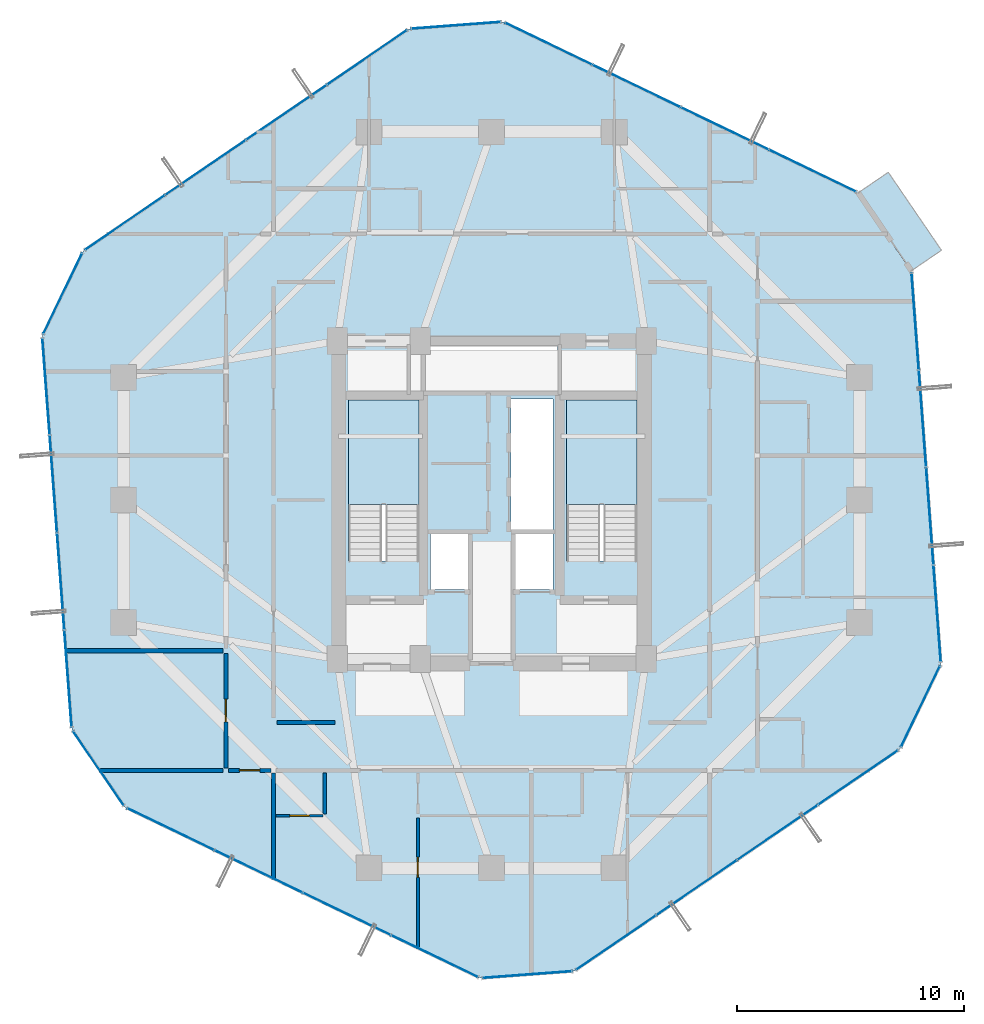
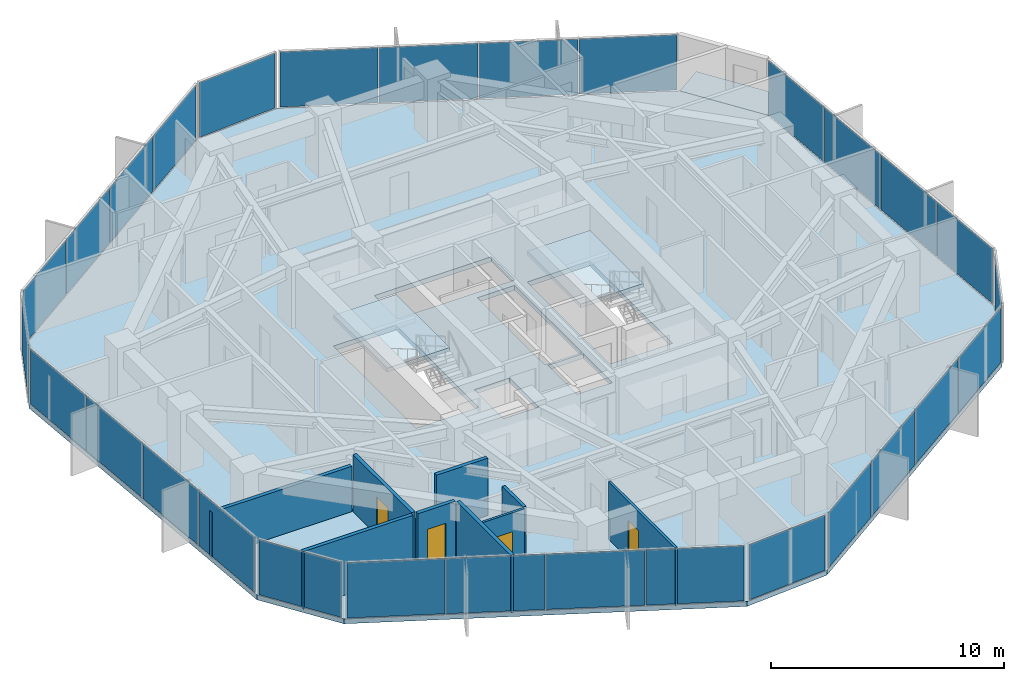
# One storey, part 29 of 35: 29 plates, 9 walls, 4 doors, 4 slabs, 4 openings, 13 elements without a shape of their own.
"""IFC4 building model written with IfcOpenShell, lengths in metres."""

from ifc_helpers import new_model, si_unit, direction, frame, frame_2d, origin, origin_2d, place, context, subcontext, project, spatial, polyline, rectangle, outline, extrude, source, transform, mapped, material, layer, layer_set, type_object, element, fill, aggregate, save


model = new_model("IFC4")

# Units and contexts
model_context = context("Model", 3, precision=1e-05, world=origin(), true_north=direction((0.0, 1.0)))
body_context = subcontext(model_context, "Body", "Model", "MODEL_VIEW")
ifc_project = project(units=[si_unit("LENGTHUNIT", "METRE"), si_unit("AREAUNIT", "SQUARE_METRE"), si_unit("VOLUMEUNIT", "CUBIC_METRE"), si_unit("PLANEANGLEUNIT", "RADIAN"), si_unit("MASSUNIT", "GRAM", prefix="KILO")], contexts=[model_context])

# Site, building, storey
site_placement = place(None, origin())
site = spatial("IfcSite", under=ifc_project, at=site_placement, CompositionType="ELEMENT")
building_placement = place(site_placement, origin())
building = spatial("IfcBuilding", under=site, at=building_placement, Name="Veraguas Prism Commons", CompositionType="ELEMENT")
storey_placement = place(building_placement, frame((0.0, 0.0, 142.5)))
storey = spatial("IfcBuildingStorey", under=building, at=storey_placement, Name="L40", CompositionType="ELEMENT", Elevation=142.5)

# Stair, slab
ifc_material_1 = material(Name="Precast concrete C45/55", Category="concrete")
stair_type = type_object("IfcStairType", Name="Dogleg Core Stair 1480W 20R 05", PredefinedType="HALF_TURN_STAIR", material=ifc_material_1)
stair_1_placement = place(storey_placement, origin())
stair_1 = element("IfcStair", 1, at=stair_1_placement, inside=storey, type_object=stair_type, Name="Protected Exit Stair ST-01 L40", PredefinedType="HALF_TURN_STAIR")
ifc_layer_1 = layer(ifc_material_1, 0.199951171875, Name="Precast Stair and Ramp Landing Slab 200", Category="concrete")
ifc_layer_set_1 = layer_set([ifc_layer_1], Name="Precast concrete C45/55")
slab_type_1 = type_object("IfcSlabType", Name="Precast Stair and Ramp Landing Slab 200", PredefinedType="LANDING", material=ifc_layer_set_1)
slab_1_placement = place(storey_placement, frame((0.0, 0.0, 1.425048828125)))
slab_1 = element("IfcSlab", 2, at=slab_1_placement, type_object=slab_type_1, Name="ST-05 Landing 1", PredefinedType="LANDING", context=body_context, shape_type="SweptSolid", body=[
    extrude(outline(polyline([(20.800048828125, 23.800048828125), (20.800048828125, 28.39990234375), (17.68994140625, 28.39990234375), (17.68994140625, 23.800048828125), (20.800048828125, 23.800048828125)])), origin(), (0.0, 0.0, 1.0), 0.199951171875),
])
aggregate(stair_1, [slab_1])

stair_2_placement = place(storey_placement, origin())
stair_2 = element("IfcStair", 3, at=stair_2_placement, inside=storey, type_object=stair_type, Name="Protected Exit Stair ST-02 L40", PredefinedType="HALF_TURN_STAIR")
slab_2_placement = place(storey_placement, frame((0.0, 0.0, 1.425048828125)))
slab_2 = element("IfcSlab", 4, at=slab_2_placement, type_object=slab_type_1, Name="ST-05 Landing 1", PredefinedType="LANDING", context=body_context, shape_type="SweptSolid", body=[
    extrude(outline(polyline([(30.39990234375, 23.800048828125), (30.39990234375, 28.39990234375), (27.2900390625, 28.39990234375), (27.2900390625, 23.800048828125), (30.39990234375, 23.800048828125)])), origin(), (0.0, 0.0, 1.0), 0.199951171875),
])
aggregate(stair_2, [slab_2])

# Slabs
ifc_material_2 = material(Name="Concrete C45/55", Category="concrete")
ifc_layer_2 = layer(ifc_material_2, 0.219970703125, Name="Recessed Loggia and Terrace Slab RC 220", Category="concrete")
ifc_layer_set_2 = layer_set([ifc_layer_2], Name="Concrete C45/55")
slab_type_2 = type_object("IfcSlabType", Name="Recessed Loggia and Terrace Slab RC 220", PredefinedType="FLOOR", material=ifc_layer_set_2)
slab_3_placement = place(storey_placement, frame((0.0, 0.0, -0.219970703125)))
element("IfcSlab", 5, at=slab_3_placement, inside=storey, type_object=slab_type_2, Name="Recessed Corner Loggia L40-C1", PredefinedType="FLOOR", context=body_context, shape_type="SweptSolid", body=[
    extrude(outline(polyline([(42.46142578125, 34.07958984375), (43.7998046875, 34.99267578125), (41.459228515625, 38.423583984375), (40.12109375, 37.510498046875), (42.46142578125, 34.07958984375)])), origin(), (0.0, 0.0, 1.0), 0.219970703125),
])
ifc_layer_3 = layer(ifc_material_2, 0.25, Name="Tower Lower Residential Floor Slab RC 250", Category="concrete")
ifc_layer_set_3 = layer_set([ifc_layer_3], Name="Concrete C45/55")
slab_type_3 = type_object("IfcSlabType", Name="Tower Lower Residential Floor Slab RC 250", PredefinedType="FLOOR", material=ifc_layer_set_3)
slab_4_placement = place(storey_placement, frame((0.0, 0.0, -0.25)))
element("IfcSlab", 6, at=slab_4_placement, inside=storey, type_object=slab_type_3, Name="Tower Floor Slab L40", PredefinedType="FLOOR", context=body_context, shape_type="SweptSolid", body=[
    extrude(outline(polyline([(42.477783203125, 34.091064453125), (40.137451171875, 37.52197265625), (24.499755859375, 45.0478515625), (20.3583984375, 44.736328125), (6.02197265625, 34.956787109375), (4.220947265625, 31.214599609375), (5.522216796875, 13.908935546875), (7.862548828125, 10.47802734375), (23.500244140625, 2.9521484375), (27.6416015625, 3.263671875), (41.97802734375, 13.043212890625), (43.779052734375, 16.785400390625), (42.477783203125, 34.091064453125)]), holes=[polyline([(20.800048828125, 21.31005859375), (20.800048828125, 28.39990234375), (17.68994140625, 28.39990234375), (17.68994140625, 21.31005859375), (20.800048828125, 21.31005859375)]), polyline([(30.39990234375, 21.31005859375), (30.39990234375, 28.39990234375), (27.2900390625, 28.39990234375), (27.2900390625, 21.31005859375), (30.39990234375, 21.31005859375)]), polyline([(24.85009765625, 22.64990234375), (26.699951171875, 22.64990234375), (26.699951171875, 28.449951171875), (24.85009765625, 28.449951171875), (24.85009765625, 22.64990234375)]), polyline([(21.10009765625, 28.800048828125), (26.89990234375, 28.800048828125), (26.89990234375, 30.800048828125), (21.10009765625, 30.800048828125), (21.10009765625, 28.800048828125)]), polyline([(21.300048828125, 20.050048828125), (23.050048828125, 20.050048828125), (23.050048828125, 22.550048828125), (21.300048828125, 22.550048828125), (21.300048828125, 20.050048828125)]), polyline([(24.949951171875, 20.050048828125), (26.699951171875, 20.050048828125), (26.699951171875, 22.550048828125), (24.949951171875, 22.550048828125), (24.949951171875, 20.050048828125)])]), origin(), (0.0, 0.0, 1.0), 0.25),
])

# Curtain wall, plates
ifc_material_3 = material(Name="Anodised aluminium EN AW-6063 T6", Category="aluminium")
ifc_layer_4 = layer(ifc_material_3, 0.169921875, Name="Unitised Flush Curtain Wall Zone 2", Category="aluminium")
ifc_layer_set_4 = layer_set([ifc_layer_4], Name="Anodised aluminium EN AW-6063 T6")
curtain_wall_type = type_object("IfcCurtainWallType", Name="Unitised Flush Curtain Wall Zone 2", PredefinedType="NOTDEFINED", material=ifc_layer_set_4)
curtain_wall_1_placement = place(storey_placement, origin())
curtain_wall_1 = element("IfcCurtainWall", 7, at=curtain_wall_1_placement, inside=storey, type_object=curtain_wall_type, Name="Tower Facade Curtain Wall L40-F1", PredefinedType="NOTDEFINED")
ifc_material_4 = material(Name="Laminated low-e glass", Category="glass")
ifc_layer_5 = layer(ifc_material_4, 0.028076171875, Name="Unitised Double Low-E Glazed Panel 28", Category="glass")
ifc_layer_set_5 = layer_set([ifc_layer_5], Name="Laminated low-e glass")
plate_type = type_object("IfcPlateType", Name="Unitised Double Low-E Glazed Panel 28", PredefinedType="CURTAIN_PANEL", material=ifc_layer_set_5)
shared_shape_1 = source(origin(), body_context, "Body", "SweptSolid", [
    extrude(rectangle(XDim=4.218505859375, YDim=0.028076171875, at=origin_2d()), origin(), (0.0, 0.0, 1.0), 2.889892578125),
])
plate_1_placement = place(storey_placement, frame((38.128662109375, 38.488525390625, 0.05517578125), z_axis=(0.0, 0.0, 1.0), x_axis=(-0.901075507561, 0.433662229937, 0.0)))
plate_1 = element("IfcPlate", 8, at=plate_1_placement, type_object=plate_type, Name="CW-Z2 Panel 1.1", PredefinedType="CURTAIN_PANEL", context=body_context, shape_type="MappedRepresentation", body=[
    mapped(shared_shape_1, transform((0.0, 0.0, 0.0), scale=1.0)),
])
plate_2_placement = place(storey_placement, frame((26.508544921875, 44.0810546875, 0.05517578125), z_axis=(0.0, 0.0, 1.0), x_axis=(-0.901075507561, 0.433662229937, 0.0)))
plate_2 = element("IfcPlate", 9, at=plate_2_placement, type_object=plate_type, Name="CW-Z2 Panel 4.1", PredefinedType="CURTAIN_PANEL", context=body_context, shape_type="MappedRepresentation", body=[
    mapped(shared_shape_1, transform((0.0, 0.0, 0.0), scale=1.0)),
])

curtain_wall_2_placement = place(storey_placement, origin())
curtain_wall_2 = element("IfcCurtainWall", 10, at=curtain_wall_2_placement, inside=storey, type_object=curtain_wall_type, Name="Tower Facade Curtain Wall L40-F2", PredefinedType="NOTDEFINED")
plate_3_placement = place(storey_placement, frame((18.516845703125, 43.480224609375, 0.05517578125), z_axis=(0.0, 0.0, 1.0), x_axis=(-0.826097310956, -0.56352749075, 0.0)))
plate_3 = element("IfcPlate", 11, at=plate_3_placement, type_object=plate_type, Name="CW-Z2 Panel 1.1", PredefinedType="CURTAIN_PANEL", context=body_context, shape_type="MappedRepresentation", body=[
    mapped(shared_shape_1, transform((0.0, 0.0, 0.0), scale=1.0)),
])
plate_4_placement = place(storey_placement, frame((7.863525390625, 36.213134765625, 0.05517578125), z_axis=(0.0, 0.0, 1.0), x_axis=(-0.826097310956, -0.56352749075, 0.0)))
plate_4 = element("IfcPlate", 12, at=plate_4_placement, type_object=plate_type, Name="CW-Z2 Panel 4.1", PredefinedType="CURTAIN_PANEL", context=body_context, shape_type="MappedRepresentation", body=[
    mapped(shared_shape_1, transform((0.0, 0.0, 0.0), scale=1.0)),
])

curtain_wall_3_placement = place(storey_placement, origin())
curtain_wall_3 = element("IfcCurtainWall", 13, at=curtain_wall_3_placement, inside=storey, type_object=curtain_wall_type, Name="Tower Facade Curtain Wall L40-F3", PredefinedType="NOTDEFINED")
plate_5_placement = place(storey_placement, frame((4.387939453125, 28.991455078125, 0.05517578125), z_axis=(0.0, 0.0, 1.0), x_axis=(0.074978726826, -0.997185133525, 0.0)))
plate_5 = element("IfcPlate", 14, at=plate_5_placement, type_object=plate_type, Name="CW-Z2 Panel 1.1", PredefinedType="CURTAIN_PANEL", context=body_context, shape_type="MappedRepresentation", body=[
    mapped(shared_shape_1, transform((0.0, 0.0, 0.0), scale=1.0)),
])
plate_6_placement = place(storey_placement, frame((5.35498046875, 16.132080078125, 0.05517578125), z_axis=(0.0, 0.0, 1.0), x_axis=(0.074978726826, -0.997185133525, 0.0)))
plate_6 = element("IfcPlate", 15, at=plate_6_placement, type_object=plate_type, Name="CW-Z2 Panel 4.1", PredefinedType="CURTAIN_PANEL", context=body_context, shape_type="MappedRepresentation", body=[
    mapped(shared_shape_1, transform((0.0, 0.0, 0.0), scale=1.0)),
])

curtain_wall_4_placement = place(storey_placement, origin())
curtain_wall_4 = element("IfcCurtainWall", 16, at=curtain_wall_4_placement, inside=storey, type_object=curtain_wall_type, Name="Tower Facade Curtain Wall L40-F4", PredefinedType="NOTDEFINED")
plate_7_placement = place(storey_placement, frame((9.871337890625, 9.511474609375, 0.05517578125), z_axis=(0.0, 0.0, 1.0), x_axis=(0.901075507561, -0.433662229937, 0.0)))
plate_7 = element("IfcPlate", 17, at=plate_7_placement, type_object=plate_type, Name="CW-Z2 Panel 1.1", PredefinedType="CURTAIN_PANEL", context=body_context, shape_type="MappedRepresentation", body=[
    mapped(shared_shape_1, transform((0.0, 0.0, 0.0), scale=1.0)),
])
plate_8_placement = place(storey_placement, frame((21.491455078125, 3.9189453125, 0.05517578125), z_axis=(0.0, 0.0, 1.0), x_axis=(0.901075507561, -0.433662229937, 0.0)))
plate_8 = element("IfcPlate", 18, at=plate_8_placement, type_object=plate_type, Name="CW-Z2 Panel 4.1", PredefinedType="CURTAIN_PANEL", context=body_context, shape_type="MappedRepresentation", body=[
    mapped(shared_shape_1, transform((0.0, 0.0, 0.0), scale=1.0)),
])

curtain_wall_5_placement = place(storey_placement, origin())
curtain_wall_5 = element("IfcCurtainWall", 19, at=curtain_wall_5_placement, inside=storey, type_object=curtain_wall_type, Name="Tower Facade Curtain Wall L40-F5", PredefinedType="NOTDEFINED")
plate_9_placement = place(storey_placement, frame((29.483154296875, 4.519775390625, 0.05517578125), z_axis=(0.0, 0.0, 1.0), x_axis=(0.826097310956, 0.56352749075, 0.0)))
plate_9 = element("IfcPlate", 20, at=plate_9_placement, type_object=plate_type, Name="CW-Z2 Panel 1.1", PredefinedType="CURTAIN_PANEL", context=body_context, shape_type="MappedRepresentation", body=[
    mapped(shared_shape_1, transform((0.0, 0.0, 0.0), scale=1.0)),
])
plate_10_placement = place(storey_placement, frame((40.136474609375, 11.786865234375, 0.05517578125), z_axis=(0.0, 0.0, 1.0), x_axis=(0.826097310956, 0.56352749075, 0.0)))
plate_10 = element("IfcPlate", 21, at=plate_10_placement, type_object=plate_type, Name="CW-Z2 Panel 4.1", PredefinedType="CURTAIN_PANEL", context=body_context, shape_type="MappedRepresentation", body=[
    mapped(shared_shape_1, transform((0.0, 0.0, 0.0), scale=1.0)),
])

curtain_wall_6_placement = place(storey_placement, origin())
curtain_wall_6 = element("IfcCurtainWall", 22, at=curtain_wall_6_placement, inside=storey, type_object=curtain_wall_type, Name="Tower Facade Curtain Wall L40-F6", PredefinedType="NOTDEFINED")
plate_11_placement = place(storey_placement, frame((43.612060546875, 19.008544921875, 0.05517578125), z_axis=(0.0, 0.0, 1.0), x_axis=(-0.074978726826, 0.997185133525, 0.0)))
plate_11 = element("IfcPlate", 23, at=plate_11_placement, type_object=plate_type, Name="CW-Z2 Panel 1.1", PredefinedType="CURTAIN_PANEL", context=body_context, shape_type="MappedRepresentation", body=[
    mapped(shared_shape_1, transform((0.0, 0.0, 0.0), scale=1.0)),
])
plate_12_placement = place(storey_placement, frame((42.64501953125, 31.867919921875, 0.05517578125), z_axis=(0.0, 0.0, 1.0), x_axis=(-0.074978726826, 0.997185133525, 0.0)))
plate_12 = element("IfcPlate", 24, at=plate_12_placement, type_object=plate_type, Name="CW-Z2 Panel 4.1", PredefinedType="CURTAIN_PANEL", context=body_context, shape_type="MappedRepresentation", body=[
    mapped(shared_shape_1, transform((0.0, 0.0, 0.0), scale=1.0)),
])

# Plate
shared_shape_2 = source(origin(), body_context, "Body", "SweptSolid", [
    extrude(rectangle(XDim=4.24853515625, YDim=0.028076171875, at=origin_2d()), origin(), (0.0, 0.0, 1.0), 2.889892578125),
])
plate_13_placement = place(storey_placement, frame((34.259765625, 40.3505859375, 0.05517578125), z_axis=(0.0, 0.0, 1.0), x_axis=(-0.901075507561, 0.433662229937, 0.0)))
plate_13 = element("IfcPlate", 25, at=plate_13_placement, type_object=plate_type, Name="CW-Z2 Panel 2.1", PredefinedType="CURTAIN_PANEL", context=body_context, shape_type="MappedRepresentation", body=[
    mapped(shared_shape_2, transform((0.0, 0.0, 0.0), scale=1.0)),
])

plate_14_placement = place(storey_placement, frame((30.37744140625, 42.218994140625, 0.05517578125), z_axis=(0.0, 0.0, 1.0), x_axis=(-0.901075507561, 0.433662229937, 0.0)))
plate_14 = element("IfcPlate", 26, at=plate_14_placement, type_object=plate_type, Name="CW-Z2 Panel 3.1", PredefinedType="CURTAIN_PANEL", context=body_context, shape_type="MappedRepresentation", body=[
    mapped(shared_shape_2, transform((0.0, 0.0, 0.0), scale=1.0)),
])

aggregate(curtain_wall_1, [plate_1, plate_13, plate_14, plate_2])

plate_15_placement = place(storey_placement, frame((14.969970703125, 41.060546875, 0.05517578125), z_axis=(0.0, 0.0, 1.0), x_axis=(-0.826097310956, -0.56352749075, 0.0)))
plate_15 = element("IfcPlate", 27, at=plate_15_placement, type_object=plate_type, Name="CW-Z2 Panel 2.1", PredefinedType="CURTAIN_PANEL", context=body_context, shape_type="MappedRepresentation", body=[
    mapped(shared_shape_2, transform((0.0, 0.0, 0.0), scale=1.0)),
])

plate_16_placement = place(storey_placement, frame((11.41064453125, 38.632568359375, 0.05517578125), z_axis=(0.0, 0.0, 1.0), x_axis=(-0.826097310956, -0.56352749075, 0.0)))
plate_16 = element("IfcPlate", 28, at=plate_16_placement, type_object=plate_type, Name="CW-Z2 Panel 3.1", PredefinedType="CURTAIN_PANEL", context=body_context, shape_type="MappedRepresentation", body=[
    mapped(shared_shape_2, transform((0.0, 0.0, 0.0), scale=1.0)),
])

aggregate(curtain_wall_2, [plate_3, plate_15, plate_16, plate_4])

plate_17_placement = place(storey_placement, frame((4.7099609375, 24.7099609375, 0.05517578125), z_axis=(0.0, 0.0, 1.0), x_axis=(0.074978726826, -0.997185133525, 0.0)))
plate_17 = element("IfcPlate", 29, at=plate_17_placement, type_object=plate_type, Name="CW-Z2 Panel 2.1", PredefinedType="CURTAIN_PANEL", context=body_context, shape_type="MappedRepresentation", body=[
    mapped(shared_shape_2, transform((0.0, 0.0, 0.0), scale=1.0)),
])

plate_18_placement = place(storey_placement, frame((5.032958984375, 20.41357421875, 0.05517578125), z_axis=(0.0, 0.0, 1.0), x_axis=(0.074978726826, -0.997185133525, 0.0)))
plate_18 = element("IfcPlate", 30, at=plate_18_placement, type_object=plate_type, Name="CW-Z2 Panel 3.1", PredefinedType="CURTAIN_PANEL", context=body_context, shape_type="MappedRepresentation", body=[
    mapped(shared_shape_2, transform((0.0, 0.0, 0.0), scale=1.0)),
])

aggregate(curtain_wall_3, [plate_5, plate_17, plate_18, plate_6])

plate_19_placement = place(storey_placement, frame((13.740234375, 7.6494140625, 0.05517578125), z_axis=(0.0, 0.0, 1.0), x_axis=(0.901075507561, -0.433662229937, 0.0)))
plate_19 = element("IfcPlate", 31, at=plate_19_placement, type_object=plate_type, Name="CW-Z2 Panel 2.1", PredefinedType="CURTAIN_PANEL", context=body_context, shape_type="MappedRepresentation", body=[
    mapped(shared_shape_2, transform((0.0, 0.0, 0.0), scale=1.0)),
])

plate_20_placement = place(storey_placement, frame((17.62255859375, 5.781005859375, 0.05517578125), z_axis=(0.0, 0.0, 1.0), x_axis=(0.901075507561, -0.433662229937, 0.0)))
plate_20 = element("IfcPlate", 32, at=plate_20_placement, type_object=plate_type, Name="CW-Z2 Panel 3.1", PredefinedType="CURTAIN_PANEL", context=body_context, shape_type="MappedRepresentation", body=[
    mapped(shared_shape_2, transform((0.0, 0.0, 0.0), scale=1.0)),
])

aggregate(curtain_wall_4, [plate_7, plate_19, plate_20, plate_8])

plate_21_placement = place(storey_placement, frame((33.030029296875, 6.939453125, 0.05517578125), z_axis=(0.0, 0.0, 1.0), x_axis=(0.826097310956, 0.56352749075, 0.0)))
plate_21 = element("IfcPlate", 33, at=plate_21_placement, type_object=plate_type, Name="CW-Z2 Panel 2.1", PredefinedType="CURTAIN_PANEL", context=body_context, shape_type="MappedRepresentation", body=[
    mapped(shared_shape_2, transform((0.0, 0.0, 0.0), scale=1.0)),
])

plate_22_placement = place(storey_placement, frame((36.58935546875, 9.367431640625, 0.05517578125), z_axis=(0.0, 0.0, 1.0), x_axis=(0.826097310956, 0.56352749075, 0.0)))
plate_22 = element("IfcPlate", 34, at=plate_22_placement, type_object=plate_type, Name="CW-Z2 Panel 3.1", PredefinedType="CURTAIN_PANEL", context=body_context, shape_type="MappedRepresentation", body=[
    mapped(shared_shape_2, transform((0.0, 0.0, 0.0), scale=1.0)),
])

aggregate(curtain_wall_5, [plate_9, plate_21, plate_22, plate_10])

plate_23_placement = place(storey_placement, frame((43.2900390625, 23.2900390625, 0.05517578125), z_axis=(0.0, 0.0, 1.0), x_axis=(-0.074978726826, 0.997185133525, 0.0)))
plate_23 = element("IfcPlate", 35, at=plate_23_placement, type_object=plate_type, Name="CW-Z2 Panel 2.1", PredefinedType="CURTAIN_PANEL", context=body_context, shape_type="MappedRepresentation", body=[
    mapped(shared_shape_2, transform((0.0, 0.0, 0.0), scale=1.0)),
])

plate_24_placement = place(storey_placement, frame((42.967041015625, 27.58642578125, 0.05517578125), z_axis=(0.0, 0.0, 1.0), x_axis=(-0.074978726826, 0.997185133525, 0.0)))
plate_24 = element("IfcPlate", 36, at=plate_24_placement, type_object=plate_type, Name="CW-Z2 Panel 3.1", PredefinedType="CURTAIN_PANEL", context=body_context, shape_type="MappedRepresentation", body=[
    mapped(shared_shape_2, transform((0.0, 0.0, 0.0), scale=1.0)),
])

aggregate(curtain_wall_6, [plate_11, plate_23, plate_24, plate_12])

# Curtain wall, plate
curtain_wall_7_placement = place(storey_placement, origin())
curtain_wall_7 = element("IfcCurtainWall", 37, at=curtain_wall_7_placement, inside=storey, type_object=curtain_wall_type, Name="Chamfer Curtain Wall L40-C2", PredefinedType="NOTDEFINED")
shared_shape_3 = source(origin(), body_context, "Body", "SweptSolid", [
    extrude(rectangle(XDim=3.9130859375, YDim=0.028076171875, at=origin_2d()), origin(), (0.0, 0.0, 1.0), 2.889892578125),
])
plate_25_placement = place(storey_placement, frame((22.42919921875, 44.89208984375, 0.05517578125), z_axis=(0.0, 0.0, 1.0), x_axis=(-0.997185133525, -0.074978726826, 0.0)))
plate_25 = element("IfcPlate", 38, at=plate_25_placement, type_object=plate_type, Name="CW-Z2 Panel 1.1", PredefinedType="CURTAIN_PANEL", context=body_context, shape_type="MappedRepresentation", body=[
    mapped(shared_shape_3, transform((0.0, 0.0, 0.0), scale=1.0)),
])
aggregate(curtain_wall_7, [plate_25])

curtain_wall_8_placement = place(storey_placement, origin())
curtain_wall_8 = element("IfcCurtainWall", 39, at=curtain_wall_8_placement, inside=storey, type_object=curtain_wall_type, Name="Chamfer Curtain Wall L40-C3", PredefinedType="NOTDEFINED")
plate_26_placement = place(storey_placement, frame((5.121337890625, 33.085693359375, 0.05517578125), z_axis=(0.0, 0.0, 1.0), x_axis=(-0.433684247236, -0.901064910925, 0.0)))
plate_26 = element("IfcPlate", 40, at=plate_26_placement, type_object=plate_type, Name="CW-Z2 Panel 1.1", PredefinedType="CURTAIN_PANEL", context=body_context, shape_type="MappedRepresentation", body=[
    mapped(shared_shape_3, transform((0.0, 0.0, 0.0), scale=1.0)),
])
aggregate(curtain_wall_8, [plate_26])

curtain_wall_9_placement = place(storey_placement, origin())
curtain_wall_9 = element("IfcCurtainWall", 41, at=curtain_wall_9_placement, inside=storey, type_object=curtain_wall_type, Name="Chamfer Curtain Wall L40-C4", PredefinedType="NOTDEFINED")
plate_27_placement = place(storey_placement, frame((6.6923828125, 12.193603515625, 0.05517578125), z_axis=(0.0, 0.0, 1.0), x_axis=(0.563537583391, -0.826090426107, 0.0)))
plate_27 = element("IfcPlate", 42, at=plate_27_placement, type_object=plate_type, Name="CW-Z2 Panel 1.1", PredefinedType="CURTAIN_PANEL", context=body_context, shape_type="MappedRepresentation", body=[
    mapped(shared_shape_3, transform((0.0, 0.0, 0.0), scale=1.0)),
])
aggregate(curtain_wall_9, [plate_27])

curtain_wall_10_placement = place(storey_placement, origin())
curtain_wall_10 = element("IfcCurtainWall", 43, at=curtain_wall_10_placement, inside=storey, type_object=curtain_wall_type, Name="Chamfer Curtain Wall L40-C5", PredefinedType="NOTDEFINED")
plate_28_placement = place(storey_placement, frame((25.57080078125, 3.10791015625, 0.05517578125), z_axis=(0.0, 0.0, 1.0), x_axis=(0.997185133525, 0.074978726826, 0.0)))
plate_28 = element("IfcPlate", 44, at=plate_28_placement, type_object=plate_type, Name="CW-Z2 Panel 1.1", PredefinedType="CURTAIN_PANEL", context=body_context, shape_type="MappedRepresentation", body=[
    mapped(shared_shape_3, transform((0.0, 0.0, 0.0), scale=1.0)),
])
aggregate(curtain_wall_10, [plate_28])

curtain_wall_11_placement = place(storey_placement, origin())
curtain_wall_11 = element("IfcCurtainWall", 45, at=curtain_wall_11_placement, inside=storey, type_object=curtain_wall_type, Name="Chamfer Curtain Wall L40-C6", PredefinedType="NOTDEFINED")
plate_29_placement = place(storey_placement, frame((42.878662109375, 14.914306640625, 0.05517578125), z_axis=(0.0, 0.0, 1.0), x_axis=(0.433684247236, 0.901064910925, 0.0)))
plate_29 = element("IfcPlate", 46, at=plate_29_placement, type_object=plate_type, Name="CW-Z2 Panel 1.1", PredefinedType="CURTAIN_PANEL", context=body_context, shape_type="MappedRepresentation", body=[
    mapped(shared_shape_3, transform((0.0, 0.0, 0.0), scale=1.0)),
])
aggregate(curtain_wall_11, [plate_29])

# Walls
ifc_material_5 = material(Name="Autoclaved aerated masonry block 10 MPa", Category="masonry")
ifc_layer_6 = layer(ifc_material_5, 0.179931640625, Name="Corridor and Inter-Tenancy Partition 180", Category="masonry")
ifc_layer_set_6 = layer_set([ifc_layer_6], Name="Autoclaved aerated masonry block 10 MPa")
wall_type_1 = type_object("IfcWallType", Name="Corridor and Inter-Tenancy Partition 180", PredefinedType="PARTITIONING", material=ifc_layer_set_6)
wall_1_placement = place(storey_placement, frame((14.550048828125, 14.199951171875, 0.0), z_axis=(0.0, 0.0, 1.0), x_axis=(1.0, 0.0, 0.0)))
element("IfcWall", 47, at=wall_1_placement, inside=storey, type_object=wall_type_1, Name="WL-L40-IRWS", PredefinedType="PARTITIONING", context=body_context, shape_type="SweptSolid", body=[
    extrude(rectangle(XDim=2.550048828125, YDim=0.179931640625, at=frame_2d((1.27490234375, 0.0))), origin(), (0.0, 0.0, 1.0), 3.0),
])
wall_2_placement = place(storey_placement, frame((14.39990234375, 11.97998046875, 0.0), z_axis=(0.0, 0.0, 1.0), x_axis=(0.0, -1.0, 0.0)))
element("IfcWall", 48, at=wall_2_placement, inside=storey, type_object=wall_type_1, Name="WL-L40-PT001", PredefinedType="PARTITIONING", context=body_context, shape_type="SweptSolid", body=[
    extrude(rectangle(XDim=4.681396484375, YDim=0.179931640625, at=frame_2d((2.3408203125, 0.0))), origin(), (0.0, 0.0, 1.0), 3.0),
])
wall_3_placement = place(storey_placement, frame((12.179931640625, 12.10009765625, 0.0), z_axis=(0.0, 0.0, 1.0), x_axis=(-1.0, 0.0, 0.0)))
element("IfcWall", 49, at=wall_3_placement, inside=storey, type_object=wall_type_1, Name="WL-L40-PT028", PredefinedType="PARTITIONING", context=body_context, shape_type="SweptSolid", body=[
    extrude(rectangle(XDim=5.460205078125, YDim=0.179931640625, at=frame_2d((2.72998046875, 0.0))), origin(), (0.0, 0.0, 1.0), 3.0),
])

# Wall, opening, door
wall_4_placement = place(storey_placement, frame((12.300048828125, 12.2099609375, 0.0), z_axis=(0.0, 0.0, 1.0), x_axis=(0.0, 1.0, 0.0)))
wall_4 = element("IfcWall", 50, at=wall_4_placement, inside=storey, type_object=wall_type_1, Name="WL-L40-PT030", PredefinedType="PARTITIONING", context=body_context, shape_type="SweptSolid", body=[
    extrude(rectangle(XDim=5.0439453125, YDim=0.179931640625, at=frame_2d((2.52197265625, 0.0))), origin(), (0.0, 0.0, 1.0), 3.0),
])
opening_1_placement = place(wall_4_placement, frame((2.02197265625, 0.0, 0.0)))
opening_1 = element("IfcOpeningElement", 51, at=opening_1_placement, cuts=wall_4, Name="Opening DR-13", PredefinedType="OPENING", context=body_context, shape_type="SweptSolid", body=[
    extrude(rectangle(XDim=1.0, YDim=2.010009765625, at=frame_2d((0.5, 1.0048828125))), frame((0.0, 0.099853515625, 0.0), z_axis=(0.0, -1.0, 0.0), x_axis=(1.0, 0.0, 0.0)), (0.0, 0.0, 1.0), 0.199951171875),
])
ifc_material_6 = material(Name="Steel fire-rated door assembly", Category="steel")
door_type_1 = type_object("IfcDoorType", Name="Core Accessible WC and Clinic Fire Door 1000x2010", OperationType="NOTDEFINED", PredefinedType="DOOR", material=ifc_material_6)
shared_shape_4 = source(origin(), body_context, "Body", "SweptSolid", [
    extrude(rectangle(XDim=1.0, YDim=2.010009765625, at=frame_2d((0.5, 1.0048828125))), frame((0.0, 0.02490234375, 0.0), z_axis=(0.0, -1.0, 0.0), x_axis=(1.0, 0.0, 0.0)), (0.0, 0.0, 1.0), 0.050048828125),
])
door_1_placement = place(opening_1_placement, origin())
door_1 = element("IfcDoor", 52, at=door_1_placement, inside=storey, type_object=door_type_1, Name="Community Co-op Kitchen Door", OperationType="SINGLE_SWING_RIGHT", OverallHeight=2.010009765625, OverallWidth=1.0, PredefinedType="DOOR", context=body_context, shape_type="MappedRepresentation", body=[
    mapped(shared_shape_4, transform((0.0, 0.0, 0.0), scale=1.0)),
])
fill(opening_1, door_1)

# Wall
wall_5_placement = place(storey_placement, frame((12.179931640625, 17.364013671875, 0.0), z_axis=(0.0, 0.0, 1.0), x_axis=(-1.0, 0.0, 0.0)))
element("IfcWall", 53, at=wall_5_placement, inside=storey, type_object=wall_type_1, Name="WL-L40-PT032", PredefinedType="PARTITIONING", context=body_context, shape_type="SweptSolid", body=[
    extrude(rectangle(XDim=6.94775390625, YDim=0.179931640625, at=frame_2d((3.473876953125, 0.0))), origin(), (0.0, 0.0, 1.0), 2.3779296875),
])

# Wall, opening, door
wall_6_placement = place(storey_placement, frame((12.419921875, 12.10009765625, 0.0), z_axis=(0.0, 0.0, 1.0), x_axis=(1.0, 0.0, 0.0)))
wall_6 = element("IfcWall", 54, at=wall_6_placement, inside=storey, type_object=wall_type_1, Name="WL-L40-PT051", PredefinedType="PARTITIONING", context=body_context, shape_type="SweptSolid", body=[
    extrude(rectangle(XDim=1.860107421875, YDim=0.179931640625, at=frame_2d((0.93017578125, 0.0))), origin(), (0.0, 0.0, 1.0), 3.0),
])
opening_2_placement = place(wall_6_placement, frame((0.47998046875, 0.0, 0.0)))
opening_2 = element("IfcOpeningElement", 55, at=opening_2_placement, cuts=wall_6, Name="Opening DR-14", PredefinedType="OPENING", context=body_context, shape_type="SweptSolid", body=[
    extrude(rectangle(XDim=0.89990234375, YDim=2.010009765625, at=frame_2d((0.449951171875, 1.0048828125))), frame((0.0, 0.099853515625, 0.0), z_axis=(0.0, -1.0, 0.0), x_axis=(1.0, 0.0, 0.0)), (0.0, 0.0, 1.0), 0.199951171875),
])
door_type_2 = type_object("IfcDoorType", Name="Core Service Room Fire Door 900x2010", OperationType="NOTDEFINED", PredefinedType="DOOR", material=ifc_material_6)
shared_shape_5 = source(origin(), body_context, "Body", "SweptSolid", [
    extrude(rectangle(XDim=0.89990234375, YDim=2.010009765625, at=frame_2d((0.449951171875, 1.0048828125))), frame((0.0, 0.02490234375, 0.0), z_axis=(0.0, -1.0, 0.0), x_axis=(1.0, 0.0, 0.0)), (0.0, 0.0, 1.0), 0.050048828125),
])
door_2_placement = place(opening_2_placement, origin())
door_2 = element("IfcDoor", 56, at=door_2_placement, inside=storey, type_object=door_type_2, Name="Residents Cycle and Pram Store SW Door", OperationType="SINGLE_SWING_LEFT", OverallHeight=2.010009765625, OverallWidth=0.89990234375, PredefinedType="DOOR", context=body_context, shape_type="MappedRepresentation", body=[
    mapped(shared_shape_5, transform((0.0, 0.0, 0.0), scale=1.0)),
])
fill(opening_2, door_2)

ifc_material_7 = material(Name="Lightweight acoustic gypsum board")
ifc_layer_7 = layer(ifc_material_7, 0.125, Name="Internal Apartment Room Partition 125")
ifc_layer_set_7 = layer_set([ifc_layer_7], Name="Lightweight acoustic gypsum board")
wall_type_2 = type_object("IfcWallType", Name="Internal Apartment Room Partition 125", PredefinedType="PARTITIONING", material=ifc_layer_set_7)
wall_7_placement = place(storey_placement, frame((14.52001953125, 10.10009765625, 0.0), z_axis=(0.0, 0.0, 1.0), x_axis=(1.0, 0.0, 0.0)))
wall_7 = element("IfcWall", 57, at=wall_7_placement, inside=storey, type_object=wall_type_2, Name="WL-L40-PT005", PredefinedType="PARTITIONING", context=body_context, shape_type="SweptSolid", body=[
    extrude(rectangle(XDim=2.050048828125, YDim=0.125, at=frame_2d((1.02490234375, 0.0))), origin(), (0.0, 0.0, 1.0), 3.0),
])
opening_3_placement = place(wall_7_placement, frame((0.594970703125, 0.0, 0.0)))
opening_3 = element("IfcOpeningElement", 58, at=opening_3_placement, cuts=wall_7, Name="Opening DR-03", PredefinedType="OPENING", context=body_context, shape_type="SweptSolid", body=[
    extrude(rectangle(XDim=0.860107421875, YDim=2.010009765625, at=frame_2d((0.43017578125, 1.0048828125))), frame((0.0, 0.072509765625, 0.0), z_axis=(0.0, -1.0, 0.0), x_axis=(1.0, 0.0, 0.0)), (0.0, 0.0, 1.0), 0.14501953125),
])
ifc_material_8 = material(Name="Timber moisture-resistant leaf", Category="wood")
door_type_3 = type_object("IfcDoorType", Name="Internal Bathroom Door 860x2010", OperationType="NOTDEFINED", PredefinedType="DOOR", material=ifc_material_8)
shared_shape_6 = source(origin(), body_context, "Body", "SweptSolid", [
    extrude(rectangle(XDim=0.860107421875, YDim=2.010009765625, at=frame_2d((0.43017578125, 1.0048828125))), frame((0.0, 0.02490234375, 0.0), z_axis=(0.0, -1.0, 0.0), x_axis=(1.0, 0.0, 0.0)), (0.0, 0.0, 1.0), 0.050048828125),
])
door_3_placement = place(opening_3_placement, origin())
door_3 = element("IfcDoor", 59, at=door_3_placement, inside=storey, type_object=door_type_3, Name="Flat 40A Bathroom Door", OperationType="SINGLE_SWING_LEFT", OverallHeight=2.010009765625, OverallWidth=0.860107421875, PredefinedType="DOOR", context=body_context, shape_type="MappedRepresentation", body=[
    mapped(shared_shape_6, transform((0.0, 0.0, 0.0), scale=1.0)),
])
fill(opening_3, door_3)

wall_8_placement = place(storey_placement, frame((20.7529296875, 10.0, 0.0), z_axis=(0.0, 0.0, 1.0), x_axis=(0.0, -1.0, 0.0)))
wall_8 = element("IfcWall", 60, at=wall_8_placement, inside=storey, type_object=wall_type_2, Name="WL-L40-PT008", PredefinedType="PARTITIONING", context=body_context, shape_type="SweptSolid", body=[
    extrude(rectangle(XDim=5.759033203125, YDim=0.125, at=frame_2d((2.87939453125, 0.0))), origin(), (0.0, 0.0, 1.0), 3.0),
])
opening_4_placement = place(wall_8_placement, frame((1.716064453125, 0.0, 0.0)))
opening_4 = element("IfcOpeningElement", 61, at=opening_4_placement, cuts=wall_8, Name="Opening DR-02", PredefinedType="OPENING", context=body_context, shape_type="SweptSolid", body=[
    extrude(rectangle(XDim=0.89990234375, YDim=2.010009765625, at=frame_2d((0.449951171875, 1.0048828125))), frame((0.0, 0.072509765625, 0.0), z_axis=(0.0, -1.0, 0.0), x_axis=(1.0, 0.0, 0.0)), (0.0, 0.0, 1.0), 0.14501953125),
])
ifc_material_9 = material(Name="Timber solid core hardwood", Category="wood")
door_type_4 = type_object("IfcDoorType", Name="Internal Habitable Room Door 900x2010", OperationType="NOTDEFINED", PredefinedType="DOOR", material=ifc_material_9)
door_4_placement = place(opening_4_placement, origin())
door_4 = element("IfcDoor", 62, at=door_4_placement, inside=storey, type_object=door_type_4, Name="Flat 40A Bedroom 1 Door", OperationType="SINGLE_SWING_LEFT", OverallHeight=2.010009765625, OverallWidth=0.89990234375, PredefinedType="DOOR", context=body_context, shape_type="MappedRepresentation", body=[
    mapped(shared_shape_5, transform((0.0, 0.0, 0.0), scale=1.0)),
])
fill(opening_4, door_4)

# Wall
ifc_layer_8 = layer(ifc_material_7, 0.14990234375, Name="Wet Room and Clinic Acoustic Partition 150")
ifc_layer_set_8 = layer_set([ifc_layer_8], Name="Lightweight acoustic gypsum board")
wall_type_3 = type_object("IfcWallType", Name="Wet Room and Clinic Acoustic Partition 150", PredefinedType="PARTITIONING", material=ifc_layer_set_8)
wall_9_placement = place(storey_placement, frame((16.64990234375, 11.97998046875, 0.0), z_axis=(0.0, 0.0, 1.0), x_axis=(0.0, -1.0, 0.0)))
element("IfcWall", 63, at=wall_9_placement, inside=storey, type_object=wall_type_3, Name="WL-L40-PT004", PredefinedType="PARTITIONING", context=body_context, shape_type="SweptSolid", body=[
    extrude(rectangle(XDim=1.800048828125, YDim=0.14990234375, at=frame_2d((0.89990234375, 0.0))), origin(), (0.0, 0.0, 1.0), 3.0),
])

save(model, "model.ifc")
